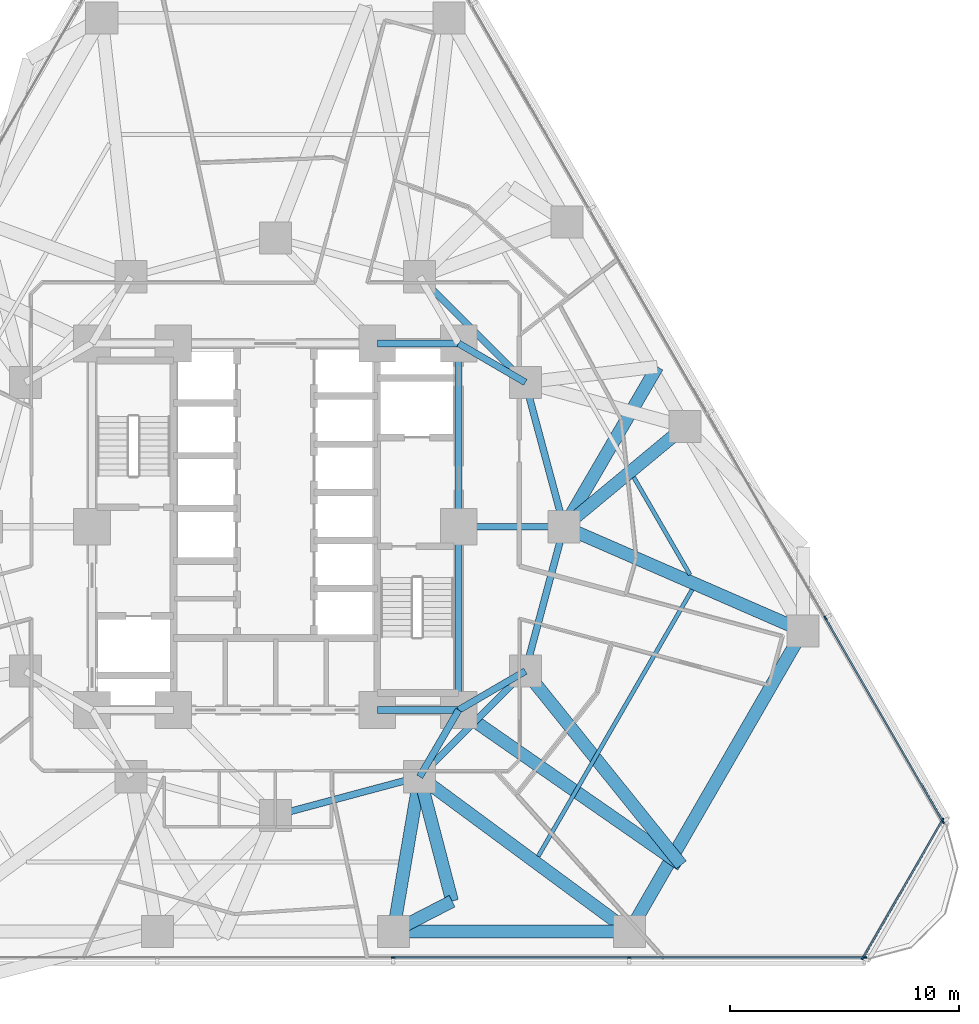
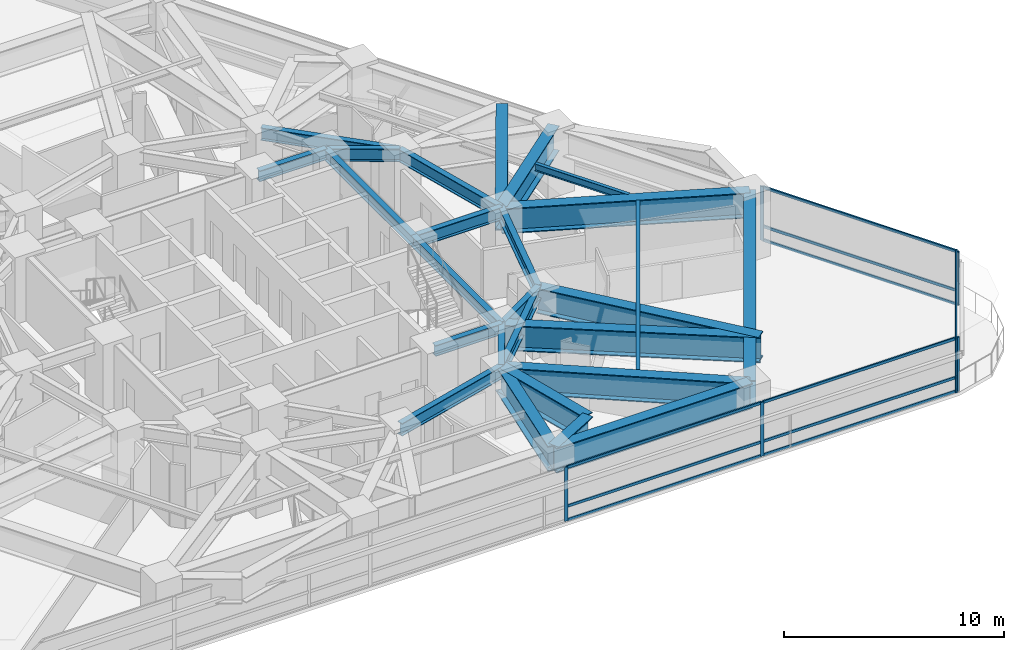
# One storey, part 4 of 15: 26 beams, 19 members, 3 elements without a shape of their own.
"""IFC4 building model written with IfcOpenShell, lengths in metres."""

from ifc_helpers import new_model, si_unit, direction, frame, origin, origin_2d, place, context, subcontext, project, spatial, rectangle, i_section, extrude, material, layer, layer_set, material_profile, profile_set, type_object, element, aggregate, save


model = new_model("IFC4")

# Units and contexts
model_context = context("Model", 3, precision=1e-05, world=origin(), true_north=direction((0.0, 1.0)))
body_context = subcontext(model_context, "Body", "Model", "MODEL_VIEW")
ifc_project = project(units=[si_unit("LENGTHUNIT", "METRE"), si_unit("AREAUNIT", "SQUARE_METRE"), si_unit("VOLUMEUNIT", "CUBIC_METRE"), si_unit("PLANEANGLEUNIT", "RADIAN"), si_unit("MASSUNIT", "GRAM", prefix="KILO")], contexts=[model_context])

# Site, building, storey
site_placement = place(None, origin())
site = spatial("IfcSite", under=ifc_project, at=site_placement, CompositionType="ELEMENT")
building_placement = place(site_placement, origin())
building = spatial("IfcBuilding", under=site, at=building_placement, Name="Terralouvre Media Tower", CompositionType="ELEMENT")
storey_placement = place(building_placement, frame((0.0, 0.0, 51.89990234375)))
storey = spatial("IfcBuildingStorey", under=building, at=storey_placement, Name="L12", CompositionType="ELEMENT", Elevation=51.89990234375)

# Beams
ifc_material_1 = material(Name="Structural steel S355J2", Category="steel")
ifc_material_profile_1 = material_profile(ifc_material_1, i_section(OverallWidth=0.179931640625, OverallDepth=0.39990234375, WebThickness=0.008544921875, FlangeThickness=0.013427734375, at=origin_2d()), Name="IPE 400")
ifc_profile_set_1 = profile_set([ifc_material_profile_1], Name="Structural steel S355J2")
beam_type_1 = type_object("IfcBeamType", Name="Composite Floor Joist J-IPE400 (IPE 400)", PredefinedType="JOIST", material=ifc_profile_set_1)
beam_1_placement = place(storey_placement, frame((11.472412109375, -14.384765625, 3.300048828125), z_axis=(0.500000713928, 0.866024991597, 0.0), x_axis=(-0.866024991597, 0.500000713928, 0.0)))
element("IfcBeam", 1, at=beam_1_placement, inside=storey, type_object=beam_type_1, Name="L12 Framing Beam JT-L12-05", PredefinedType="JOIST", context=body_context, shape_type="SweptSolid", body=[
    extrude(i_section(OverallWidth=0.179931640625, OverallDepth=0.39990234375, WebThickness=0.008544921875, FlangeThickness=0.013427734375, at=origin_2d()), origin(), (0.0, 0.0, 1.0), 13.44287109375),
])
beam_2_placement = place(storey_placement, frame((18.098876953125, -2.09423828125, 3.300048828125), z_axis=(-0.499991980929, 0.866030033548, 0.0), x_axis=(-0.866030033548, -0.499991980929, 0.0)))
element("IfcBeam", 2, at=beam_2_placement, inside=storey, type_object=beam_type_1, Name="L12 Framing Beam JT-L12-06", PredefinedType="JOIST", context=body_context, shape_type="SweptSolid", body=[
    extrude(i_section(OverallWidth=0.179931640625, OverallDepth=0.39990234375, WebThickness=0.008544921875, FlangeThickness=0.013427734375, at=origin_2d()), origin(), (0.0, 0.0, 1.0), 4.91357421875),
])

# Curtain wall, members
ifc_material_2 = material(Name="Low-iron laminated double glazing with solar-control coating", Category="glass")
ifc_layer_1 = layer(ifc_material_2, 0.1650390625, Name="Lower Media Tower Unitised Curtain Wall CW-02")
ifc_layer_set_1 = layer_set([ifc_layer_1], Name="Low-iron laminated double glazing with solar-control coating")
curtain_wall_type_1 = type_object("IfcCurtainWallType", Name="Lower Media Tower Unitised Curtain Wall CW-02", PredefinedType="NOTDEFINED", material=ifc_layer_set_1)
curtain_wall_1_placement = place(storey_placement, origin())
curtain_wall_1 = element("IfcCurtainWall", 3, at=curtain_wall_1_placement, inside=storey, type_object=curtain_wall_type_1, Name="L12 Facade Curtain Wall F0", PredefinedType="NOTDEFINED")
ifc_material_3 = material(Name="Anodised extruded aluminium 6063-T6", Category="aluminium")
ifc_material_profile_2 = material_profile(ifc_material_3, rectangle(XDim=0.074951171875, YDim=0.14990234375, at=origin_2d()), Name="ALU 75x150")
ifc_profile_set_2 = profile_set([ifc_material_profile_2], Name="Anodised extruded aluminium 6063-T6")
member_type_1 = type_object("IfcMemberType", Name="Curtain-Wall Horizontal Transom TR-150", PredefinedType="USERDEFINED", material=ifc_profile_set_2)
member_1_placement = place(storey_placement, frame((5.1875, -18.796875, 0.03759765625), z_axis=(1.0, 0.0, 0.0), x_axis=(0.0, 1.0, 0.0)))
member_1 = element("IfcMember", 4, at=member_1_placement, type_object=member_type_1, Name="CW-02 transom 4.1", ObjectType="TRANSOM", PredefinedType="USERDEFINED", context=body_context, shape_type="SweptSolid", body=[
    extrude(rectangle(XDim=0.074951171875, YDim=0.14990234375, at=origin_2d()), origin(), (0.0, 0.0, 1.0), 10.22509765625),
])
member_2_placement = place(storey_placement, frame((5.1875, -18.796875, 0.800048828125), z_axis=(1.0, 0.0, 0.0), x_axis=(0.0, 1.0, 0.0)))
member_2 = element("IfcMember", 5, at=member_2_placement, type_object=member_type_1, Name="CW-02 transom 4.2", ObjectType="TRANSOM", PredefinedType="USERDEFINED", context=body_context, shape_type="SweptSolid", body=[
    extrude(rectangle(XDim=0.074951171875, YDim=0.14990234375, at=origin_2d()), origin(), (0.0, 0.0, 1.0), 10.22509765625),
])
member_3_placement = place(storey_placement, frame((5.1875, -18.796875, 2.962646484375), z_axis=(1.0, 0.0, 0.0), x_axis=(0.0, 1.0, 0.0)))
member_3 = element("IfcMember", 6, at=member_3_placement, type_object=member_type_1, Name="CW-02 transom 4.3", ObjectType="TRANSOM", PredefinedType="USERDEFINED", context=body_context, shape_type="SweptSolid", body=[
    extrude(rectangle(XDim=0.074951171875, YDim=0.14990234375, at=origin_2d()), origin(), (0.0, 0.0, 1.0), 10.22509765625),
])
member_4_placement = place(storey_placement, frame((15.487548828125, -18.796875, 0.03759765625), z_axis=(1.0, 0.0, 0.0), x_axis=(0.0, 1.0, 0.0)))
member_4 = element("IfcMember", 7, at=member_4_placement, type_object=member_type_1, Name="CW-02 transom 5.1", ObjectType="TRANSOM", PredefinedType="USERDEFINED", context=body_context, shape_type="SweptSolid", body=[
    extrude(rectangle(XDim=0.074951171875, YDim=0.14990234375, at=origin_2d()), origin(), (0.0, 0.0, 1.0), 10.1875),
])
member_5_placement = place(storey_placement, frame((15.487548828125, -18.796875, 0.800048828125), z_axis=(1.0, 0.0, 0.0), x_axis=(0.0, 1.0, 0.0)))
member_5 = element("IfcMember", 8, at=member_5_placement, type_object=member_type_1, Name="CW-02 transom 5.2", ObjectType="TRANSOM", PredefinedType="USERDEFINED", context=body_context, shape_type="SweptSolid", body=[
    extrude(rectangle(XDim=0.074951171875, YDim=0.14990234375, at=origin_2d()), origin(), (0.0, 0.0, 1.0), 10.1875),
])
member_6_placement = place(storey_placement, frame((15.487548828125, -18.796875, 2.962646484375), z_axis=(1.0, 0.0, 0.0), x_axis=(0.0, 1.0, 0.0)))
member_6 = element("IfcMember", 9, at=member_6_placement, type_object=member_type_1, Name="CW-02 transom 5.3", ObjectType="TRANSOM", PredefinedType="USERDEFINED", context=body_context, shape_type="SweptSolid", body=[
    extrude(rectangle(XDim=0.074951171875, YDim=0.14990234375, at=origin_2d()), origin(), (0.0, 0.0, 1.0), 10.1875),
])

curtain_wall_2_placement = place(storey_placement, origin())
curtain_wall_2 = element("IfcCurtainWall", 10, at=curtain_wall_2_placement, inside=storey, type_object=curtain_wall_type_1, Name="L12 Facade Curtain Wall F1", PredefinedType="NOTDEFINED")
member_7_placement = place(storey_placement, frame((29.115966796875, -12.8369140625, 0.03759765625), z_axis=(-0.499994895054, 0.866028351106, 0.0), x_axis=(-0.866028351106, -0.499994895054, 0.0)))
member_7 = element("IfcMember", 11, at=member_7_placement, type_object=member_type_1, Name="CW-02 transom 1.1", ObjectType="TRANSOM", PredefinedType="USERDEFINED", context=body_context, shape_type="SweptSolid", body=[
    extrude(rectangle(XDim=0.074951171875, YDim=0.14990234375, at=origin_2d()), origin(), (0.0, 0.0, 1.0), 10.1875),
])
member_8_placement = place(storey_placement, frame((29.115966796875, -12.8369140625, 0.800048828125), z_axis=(-0.499994895054, 0.866028351106, 0.0), x_axis=(-0.866028351106, -0.499994895054, 0.0)))
member_8 = element("IfcMember", 12, at=member_8_placement, type_object=member_type_1, Name="CW-02 transom 1.2", ObjectType="TRANSOM", PredefinedType="USERDEFINED", context=body_context, shape_type="SweptSolid", body=[
    extrude(rectangle(XDim=0.074951171875, YDim=0.14990234375, at=origin_2d()), origin(), (0.0, 0.0, 1.0), 10.1875),
])
member_9_placement = place(storey_placement, frame((29.115966796875, -12.8369140625, 2.962646484375), z_axis=(-0.499994895054, 0.866028351106, 0.0), x_axis=(-0.866028351106, -0.499994895054, 0.0)))
member_9 = element("IfcMember", 13, at=member_9_placement, type_object=member_type_1, Name="CW-02 transom 1.3", ObjectType="TRANSOM", PredefinedType="USERDEFINED", context=body_context, shape_type="SweptSolid", body=[
    extrude(rectangle(XDim=0.074951171875, YDim=0.14990234375, at=origin_2d()), origin(), (0.0, 0.0, 1.0), 10.1875),
])

ifc_material_4 = material(Name="Low-iron laminated double glazing with solar-control coating", Category="glass")
ifc_layer_2 = layer(ifc_material_4, 0.1650390625, Name="Rounded Wind-Corner Curved Glazing CW-04")
ifc_layer_set_2 = layer_set([ifc_layer_2], Name="Low-iron laminated double glazing with solar-control coating")
curtain_wall_type_2 = type_object("IfcCurtainWallType", Name="Rounded Wind-Corner Curved Glazing CW-04", PredefinedType="NOTDEFINED", material=ifc_layer_set_2)
curtain_wall_3_placement = place(storey_placement, origin())
curtain_wall_3 = element("IfcCurtainWall", 14, at=curtain_wall_3_placement, inside=storey, type_object=curtain_wall_type_2, Name="L12 Rounded Wind-Corner Curtain Wall C1", PredefinedType="NOTDEFINED")
member_10_placement = place(storey_placement, frame((25.666259765625, -18.78173828125, 0.03759765625), z_axis=(0.499998495495, 0.866026272409, 0.0), x_axis=(-0.866026272409, 0.499998495495, 0.0)))
member_10 = element("IfcMember", 15, at=member_10_placement, type_object=member_type_1, Name="CW-04 transom 1.1", ObjectType="TRANSOM", PredefinedType="USERDEFINED", context=body_context, shape_type="SweptSolid", body=[
    extrude(rectangle(XDim=0.074951171875, YDim=0.14990234375, at=origin_2d()), origin(), (0.0, 0.0, 1.0), 6.86474609375),
])
member_11_placement = place(storey_placement, frame((25.666259765625, -18.78173828125, 0.800048828125), z_axis=(0.499998495495, 0.866026272409, 0.0), x_axis=(-0.866026272409, 0.499998495495, 0.0)))
member_11 = element("IfcMember", 16, at=member_11_placement, type_object=member_type_1, Name="CW-04 transom 1.2", ObjectType="TRANSOM", PredefinedType="USERDEFINED", context=body_context, shape_type="SweptSolid", body=[
    extrude(rectangle(XDim=0.074951171875, YDim=0.14990234375, at=origin_2d()), origin(), (0.0, 0.0, 1.0), 6.86474609375),
])
member_12_placement = place(storey_placement, frame((25.666259765625, -18.78173828125, 2.962646484375), z_axis=(0.499998495495, 0.866026272409, 0.0), x_axis=(-0.866026272409, 0.499998495495, 0.0)))
member_12 = element("IfcMember", 17, at=member_12_placement, type_object=member_type_1, Name="CW-04 transom 1.3", ObjectType="TRANSOM", PredefinedType="USERDEFINED", context=body_context, shape_type="SweptSolid", body=[
    extrude(rectangle(XDim=0.074951171875, YDim=0.14990234375, at=origin_2d()), origin(), (0.0, 0.0, 1.0), 6.86474609375),
])

# Member
ifc_material_5 = material(Name="Anodised extruded aluminium 6063-T6", Category="aluminium")
ifc_material_profile_3 = material_profile(ifc_material_5, rectangle(XDim=0.074951171875, YDim=0.179931640625, at=origin_2d()), Name="ALU 75x180")
ifc_profile_set_3 = profile_set([ifc_material_profile_3], Name="Anodised extruded aluminium 6063-T6")
member_type_2 = type_object("IfcMemberType", Name="Curtain-Wall Vertical Mullion ML-180", PredefinedType="MULLION", material=ifc_profile_set_3)
member_13_placement = place(storey_placement, frame((5.14990234375, -18.796875, 0.0), z_axis=(0.0, 0.0, 1.0), x_axis=(0.0, 1.0, 0.0)))
member_13 = element("IfcMember", 18, at=member_13_placement, type_object=member_type_2, Name="CW-02 mullion 4", PredefinedType="MULLION", context=body_context, shape_type="SweptSolid", body=[
    extrude(rectangle(XDim=0.074951171875, YDim=0.179931640625, at=origin_2d()), origin(), (0.0, 0.0, 1.0), 3.0),
])

member_14_placement = place(storey_placement, frame((15.449951171875, -18.796875, 0.0), z_axis=(0.0, 0.0, 1.0), x_axis=(0.0, 1.0, 0.0)))
member_14 = element("IfcMember", 19, at=member_14_placement, type_object=member_type_2, Name="CW-02 mullion 5", PredefinedType="MULLION", context=body_context, shape_type="SweptSolid", body=[
    extrude(rectangle(XDim=0.074951171875, YDim=0.179931640625, at=origin_2d()), origin(), (0.0, 0.0, 1.0), 3.0),
])

member_15_placement = place(storey_placement, frame((25.71240234375, -18.796875, 0.0), z_axis=(0.0, 0.0, 1.0), x_axis=(0.0, 1.0, 0.0)))
member_15 = element("IfcMember", 20, at=member_15_placement, type_object=member_type_2, Name="CW-02 mullion 6", PredefinedType="MULLION", context=body_context, shape_type="SweptSolid", body=[
    extrude(rectangle(XDim=0.074951171875, YDim=0.179931640625, at=origin_2d()), origin(), (0.0, 0.0, 1.0), 3.0),
])

aggregate(curtain_wall_1, [member_13, member_14, member_15, member_1, member_2, member_3, member_4, member_5, member_6])

member_16_placement = place(storey_placement, frame((29.134765625, -12.869384765625, 0.0), z_axis=(0.0, 0.0, 1.0), x_axis=(-0.866025412057, -0.499999985671, 0.0)))
member_16 = element("IfcMember", 21, at=member_16_placement, type_object=member_type_2, Name="CW-02 mullion 1", PredefinedType="MULLION", context=body_context, shape_type="SweptSolid", body=[
    extrude(rectangle(XDim=0.074951171875, YDim=0.179931640625, at=origin_2d()), origin(), (0.0, 0.0, 1.0), 3.0),
])

member_17_placement = place(storey_placement, frame((24.00341796875, -3.981689453125, 0.0), z_axis=(0.0, 0.0, 1.0), x_axis=(-0.866025412057, -0.499999985671, 0.0)))
member_17 = element("IfcMember", 22, at=member_17_placement, type_object=member_type_2, Name="CW-02 mullion 2", PredefinedType="MULLION", context=body_context, shape_type="SweptSolid", body=[
    extrude(rectangle(XDim=0.074951171875, YDim=0.179931640625, at=origin_2d()), origin(), (0.0, 0.0, 1.0), 3.0),
])

aggregate(curtain_wall_2, [member_16, member_17, member_7, member_8, member_9])

member_18_placement = place(storey_placement, frame((25.6474609375, -18.814208984375, 0.0), z_axis=(0.0, 0.0, 1.0), x_axis=(-0.866025581895, 0.499999691503, 0.0)))
member_18 = element("IfcMember", 23, at=member_18_placement, type_object=member_type_2, Name="CW-04 mullion 1", PredefinedType="MULLION", context=body_context, shape_type="SweptSolid", body=[
    extrude(rectangle(XDim=0.074951171875, YDim=0.179931640625, at=origin_2d()), origin(), (0.0, 0.0, 1.0), 3.0),
])

member_19_placement = place(storey_placement, frame((29.117431640625, -12.80419921875, 0.0), z_axis=(0.0, 0.0, 1.0), x_axis=(-0.866025581895, 0.499999691503, 0.0)))
member_19 = element("IfcMember", 24, at=member_19_placement, type_object=member_type_2, Name="CW-04 mullion 2", PredefinedType="MULLION", context=body_context, shape_type="SweptSolid", body=[
    extrude(rectangle(XDim=0.074951171875, YDim=0.179931640625, at=origin_2d()), origin(), (0.0, 0.0, 1.0), 3.0),
])

aggregate(curtain_wall_3, [member_18, member_19, member_10, member_11, member_12])

# Beams
ifc_material_6 = material(Name="Structural steel S460M", Category="steel")
ifc_material_profile_4 = material_profile(ifc_material_6, i_section(OverallWidth=0.300048828125, OverallDepth=0.60009765625, WebThickness=0.015380859375, FlangeThickness=0.030029296875, at=origin_2d()), Name="HEB 600")
ifc_profile_set_4 = profile_set([ifc_material_profile_4], Name="Structural steel S460M")
beam_type_2 = type_object("IfcBeamType", Name="Primary Floor Girder B-HEB600 (HEB 600)", PredefinedType="BEAM", material=ifc_profile_set_4)
beam_3_placement = place(storey_placement, frame((4.449951171875, -8.0, 3.2001953125), z_axis=(1.0, 0.0, 0.0), x_axis=(0.0, 1.0, 0.0)))
element("IfcBeam", 25, at=beam_3_placement, inside=storey, type_object=beam_type_2, Name="L12 Framing Beam BM-L12-CPR03", PredefinedType="BEAM", context=body_context, shape_type="SweptSolid", body=[
    extrude(i_section(OverallWidth=0.300048828125, OverallDepth=0.60009765625, WebThickness=0.015380859375, FlangeThickness=0.030029296875, at=origin_2d()), origin(), (0.0, 0.0, 1.0), 3.550048828125),
])
for number, where, z_axis, x_axis, name in (
    (26, (8.0, -8.0, 3.2001953125), (0.0, 1.0, 0.0), (-1.0, 0.0, 0.0), "L12 Framing Beam BM-L12-CPR04"),
    (27, (8.0, 0.0, 3.2001953125), (0.0, 1.0, 0.0), (-1.0, 0.0, 0.0), "L12 Framing Beam BM-L12-CPR05"),
):
    element("IfcBeam", number, at=place(storey_placement, frame(where, z_axis=z_axis, x_axis=x_axis)), inside=storey, type_object=beam_type_2, Name=name, PredefinedType="BEAM", context=body_context, shape_type="SweptSolid", body=[
        extrude(i_section(OverallWidth=0.300048828125, OverallDepth=0.60009765625, WebThickness=0.015380859375, FlangeThickness=0.030029296875, at=origin_2d()), origin(), (0.0, 0.0, 1.0), 8.0),
    ])
beam_4_placement = place(storey_placement, frame((8.0, 8.0, 3.2001953125), z_axis=(-1.0, 0.0, 0.0), x_axis=(0.0, -1.0, 0.0)))
element("IfcBeam", 28, at=beam_4_placement, inside=storey, type_object=beam_type_2, Name="L12 Framing Beam BM-L12-CPR06", PredefinedType="BEAM", context=body_context, shape_type="SweptSolid", body=[
    extrude(i_section(OverallWidth=0.300048828125, OverallDepth=0.60009765625, WebThickness=0.015380859375, FlangeThickness=0.030029296875, at=origin_2d()), origin(), (0.0, 0.0, 1.0), 3.550048828125),
])
ifc_material_7 = material(Name="Structural steel S460M", Category="steel")
ifc_material_profile_5 = material_profile(ifc_material_7, i_section(OverallWidth=0.300048828125, OverallDepth=0.699951171875, WebThickness=0.01708984375, FlangeThickness=0.031982421875, at=origin_2d()), Name="HEB 700")
ifc_profile_set_5 = profile_set([ifc_material_profile_5], Name="Structural steel S460M")
beam_type_3 = type_object("IfcBeamType", Name="Primary Floor Girder B-HEB700 (HEB 700)", PredefinedType="BEAM", material=ifc_profile_set_5)
beam_5_placement = place(storey_placement, frame((0.0, -12.60009765625, 3.150146484375), z_axis=(0.965920481897, 0.258838989821, 0.0), x_axis=(-0.258838989821, 0.965920481897, 0.0)))
element("IfcBeam", 29, at=beam_5_placement, inside=storey, type_object=beam_type_3, Name="L12 Framing Beam BM-L12-MR03", PredefinedType="BEAM", context=body_context, shape_type="SweptSolid", body=[
    extrude(i_section(OverallWidth=0.300048828125, OverallDepth=0.699951171875, WebThickness=0.01708984375, FlangeThickness=0.031982421875, at=origin_2d()), origin(), (0.0, 0.0, 1.0), 6.522216796875),
])
beam_6_placement = place(storey_placement, frame((6.300048828125, -10.911865234375, 3.150146484375), z_axis=(0.707106781187, 0.707106781187, 0.0), x_axis=(-0.707106781187, 0.707106781187, 0.0)))
element("IfcBeam", 30, at=beam_6_placement, inside=storey, type_object=beam_type_3, Name="L12 Framing Beam BM-L12-MR04", PredefinedType="BEAM", context=body_context, shape_type="SweptSolid", body=[
    extrude(i_section(OverallWidth=0.300048828125, OverallDepth=0.699951171875, WebThickness=0.01708984375, FlangeThickness=0.031982421875, at=origin_2d()), origin(), (0.0, 0.0, 1.0), 6.52197265625),
])
for number, where, z_axis, x_axis, name in (
    (31, (10.911865234375, -6.300048828125, 3.150146484375), (0.258838989821, 0.965920481897, 0.0), (-0.965920481897, 0.258838989821, 0.0), "L12 Framing Beam BM-L12-MR05"),
    (32, (12.60009765625, 0.0, 3.150146484375), (-0.258838989821, 0.965920481897, 0.0), (-0.965920481897, -0.258838989821, 0.0), "L12 Framing Beam BM-L12-MR06"),
):
    element("IfcBeam", number, at=place(storey_placement, frame(where, z_axis=z_axis, x_axis=x_axis)), inside=storey, type_object=beam_type_3, Name=name, PredefinedType="BEAM", context=body_context, shape_type="SweptSolid", body=[
        extrude(i_section(OverallWidth=0.300048828125, OverallDepth=0.699951171875, WebThickness=0.01708984375, FlangeThickness=0.031982421875, at=origin_2d()), origin(), (0.0, 0.0, 1.0), 6.522216796875),
    ])
beam_7_placement = place(storey_placement, frame((10.911865234375, 6.300048828125, 3.150146484375), z_axis=(-0.707106781187, 0.707106781187, 0.0), x_axis=(-0.707106781187, -0.707106781187, 0.0)))
element("IfcBeam", 33, at=beam_7_placement, inside=storey, type_object=beam_type_3, Name="L12 Framing Beam BM-L12-MR07", PredefinedType="BEAM", context=body_context, shape_type="SweptSolid", body=[
    extrude(i_section(OverallWidth=0.300048828125, OverallDepth=0.699951171875, WebThickness=0.01708984375, FlangeThickness=0.031982421875, at=origin_2d()), origin(), (0.0, 0.0, 1.0), 6.52197265625),
])
for number, where, z_axis, x_axis, name in (
    (34, (8.0, -8.0, 3.150146484375), (-0.504172629717, -0.863602894532, 0.0), (0.863602894532, -0.504172629717, 0.0), "L12 Framing Beam BM-L12-CM04"),
    (35, (8.0, -8.0, 3.150146484375), (0.863602894532, 0.504172629717, 0.0), (-0.504172629717, 0.863602894532, 0.0), "L12 Framing Beam BM-L12-CM05"),
):
    element("IfcBeam", number, at=place(storey_placement, frame(where, z_axis=z_axis, x_axis=x_axis)), inside=storey, type_object=beam_type_3, Name=name, PredefinedType="BEAM", context=body_context, shape_type="SweptSolid", body=[
        extrude(i_section(OverallWidth=0.300048828125, OverallDepth=0.699951171875, WebThickness=0.01708984375, FlangeThickness=0.031982421875, at=origin_2d()), origin(), (0.0, 0.0, 1.0), 3.371826171875),
    ])
beam_8_placement = place(storey_placement, frame((8.0, 0.0, 3.150146484375), z_axis=(1.0, 0.0, 0.0), x_axis=(0.0, 1.0, 0.0)))
element("IfcBeam", 36, at=beam_8_placement, inside=storey, type_object=beam_type_3, Name="L12 Framing Beam BM-L12-CM06", PredefinedType="BEAM", context=body_context, shape_type="SweptSolid", body=[
    extrude(i_section(OverallWidth=0.300048828125, OverallDepth=0.699951171875, WebThickness=0.01708984375, FlangeThickness=0.031982421875, at=origin_2d()), origin(), (0.0, 0.0, 1.0), 4.60009765625),
])
beam_9_placement = place(storey_placement, frame((8.0, 8.0, 3.150146484375), z_axis=(0.863602894532, -0.504172629717, 0.0), x_axis=(0.504172629717, 0.863602894532, 0.0)))
element("IfcBeam", 37, at=beam_9_placement, inside=storey, type_object=beam_type_3, Name="L12 Framing Beam BM-L12-CM07", PredefinedType="BEAM", context=body_context, shape_type="SweptSolid", body=[
    extrude(i_section(OverallWidth=0.300048828125, OverallDepth=0.699951171875, WebThickness=0.01708984375, FlangeThickness=0.031982421875, at=origin_2d()), origin(), (0.0, 0.0, 1.0), 3.371826171875),
])
ifc_material_8 = material(Name="Structural steel S460M", Category="steel")
ifc_material_profile_6 = material_profile(ifc_material_8, i_section(OverallWidth=0.56005859375, OverallDepth=1.39990234375, WebThickness=0.031982421875, FlangeThickness=0.050048828125, at=origin_2d()), Name="TG 1400x560")
ifc_profile_set_6 = profile_set([ifc_material_profile_6], Name="Structural steel S460M")
beam_type_4 = type_object("IfcBeamType", Name="Welded Transfer Girder TG-1400 (TG 1400x560)", PredefinedType="USERDEFINED", material=ifc_profile_set_6)
beam_10_placement = place(storey_placement, frame((5.14990234375, -17.666748046875, 2.800048828125), z_axis=(1.0, 0.0, 0.0), x_axis=(0.0, 1.0, 0.0)))
element("IfcBeam", 38, at=beam_10_placement, inside=storey, type_object=beam_type_4, Name="L12 Framing Beam BM-L12-PR04", ObjectType="TRANSFER GIRDER", PredefinedType="USERDEFINED", context=body_context, shape_type="SweptSolid", body=[
    extrude(i_section(OverallWidth=0.56005859375, OverallDepth=1.39990234375, WebThickness=0.031982421875, FlangeThickness=0.050048828125, at=origin_2d()), origin(), (0.0, 0.0, 1.0), 10.300048828125),
])
beam_11_placement = place(storey_placement, frame((15.449951171875, -17.666748046875, 2.800048828125), z_axis=(0.500002375365, 0.866024032363, 0.0), x_axis=(-0.866024032363, 0.500002375365, 0.0)))
element("IfcBeam", 39, at=beam_11_placement, inside=storey, type_object=beam_type_4, Name="L12 Framing Beam BM-L12-PR05", ObjectType="TRANSFER GIRDER", PredefinedType="USERDEFINED", context=body_context, shape_type="SweptSolid", body=[
    extrude(i_section(OverallWidth=0.56005859375, OverallDepth=1.39990234375, WebThickness=0.031982421875, FlangeThickness=0.050048828125, at=origin_2d()), origin(), (0.0, 0.0, 1.0), 15.14990234375),
])
beam_12_placement = place(storey_placement, frame((6.300048828125, -10.911865234375, 2.800048828125), z_axis=(-0.167853129882, -0.98581201392, 0.0), x_axis=(0.98581201392, -0.167853129882, 0.0)))
element("IfcBeam", 40, at=beam_12_placement, inside=storey, type_object=beam_type_4, Name="L12 Framing Beam BM-L12-RD04", ObjectType="TRANSFER GIRDER", PredefinedType="USERDEFINED", context=body_context, shape_type="SweptSolid", body=[
    extrude(i_section(OverallWidth=0.56005859375, OverallDepth=1.39990234375, WebThickness=0.031982421875, FlangeThickness=0.050048828125, at=origin_2d()), origin(), (0.0, 0.0, 1.0), 6.85205078125),
])
beam_13_placement = place(storey_placement, frame((6.300048828125, -10.911865234375, 2.800048828125), z_axis=(0.804515955091, -0.593931038088, 0.0), x_axis=(0.593931038088, 0.804515955091, 0.0)))
element("IfcBeam", 41, at=beam_13_placement, inside=storey, type_object=beam_type_4, Name="L12 Framing Beam BM-L12-RD05", ObjectType="TRANSFER GIRDER", PredefinedType="USERDEFINED", context=body_context, shape_type="SweptSolid", body=[
    extrude(i_section(OverallWidth=0.56005859375, OverallDepth=1.39990234375, WebThickness=0.031982421875, FlangeThickness=0.050048828125, at=origin_2d()), origin(), (0.0, 0.0, 1.0), 11.373291015625),
])
beam_14_placement = place(storey_placement, frame((12.60009765625, 0.0, 2.800048828125), z_axis=(0.916615903868, -0.399769039291, 0.0), x_axis=(0.399769039291, 0.916615903868, 0.0)))
element("IfcBeam", 42, at=beam_14_placement, inside=storey, type_object=beam_type_4, Name="L12 Framing Beam BM-L12-RD06", ObjectType="TRANSFER GIRDER", PredefinedType="USERDEFINED", context=body_context, shape_type="SweptSolid", body=[
    extrude(i_section(OverallWidth=0.56005859375, OverallDepth=1.39990234375, WebThickness=0.031982421875, FlangeThickness=0.050048828125, at=origin_2d()), origin(), (0.0, 0.0, 1.0), 11.373046875),
])
beam_15_placement = place(storey_placement, frame((12.60009765625, 0.0, 2.800048828125), z_axis=(0.769816459478, 0.638265320001, 0.0), x_axis=(-0.638265320001, 0.769816459478, 0.0)))
element("IfcBeam", 43, at=beam_15_placement, inside=storey, type_object=beam_type_4, Name="L12 Framing Beam BM-L12-RD07", ObjectType="TRANSFER GIRDER", PredefinedType="USERDEFINED", context=body_context, shape_type="SweptSolid", body=[
    extrude(i_section(OverallWidth=0.56005859375, OverallDepth=1.39990234375, WebThickness=0.031982421875, FlangeThickness=0.050048828125, at=origin_2d()), origin(), (0.0, 0.0, 1.0), 6.851806640625),
])
beam_16_placement = place(storey_placement, frame((7.715576171875, -16.3427734375, 2.800048828125), z_axis=(-0.88865511833, -0.458576144895, 0.0), x_axis=(0.458576144895, -0.88865511833, 0.0)))
element("IfcBeam", 44, at=beam_16_placement, inside=storey, type_object=beam_type_4, Name="L12 Framing Beam BM-L12-TR03S1", ObjectType="TRANSFER GIRDER", PredefinedType="USERDEFINED", context=body_context, shape_type="SweptSolid", body=[
    extrude(i_section(OverallWidth=0.56005859375, OverallDepth=1.39990234375, WebThickness=0.031982421875, FlangeThickness=0.050048828125, at=origin_2d()), origin(), (0.0, 0.0, 1.0), 2.88720703125),
])
beam_17_placement = place(storey_placement, frame((7.715576171875, -16.3427734375, 2.800048828125), z_axis=(-0.252216476238, 0.967670837172, 0.0), x_axis=(-0.967670837172, -0.252216476238, 0.0)))
element("IfcBeam", 45, at=beam_17_placement, inside=storey, type_object=beam_type_4, Name="L12 Framing Beam BM-L12-TR03S2", ObjectType="TRANSFER GIRDER", PredefinedType="USERDEFINED", context=body_context, shape_type="SweptSolid", body=[
    extrude(i_section(OverallWidth=0.56005859375, OverallDepth=1.39990234375, WebThickness=0.031982421875, FlangeThickness=0.050048828125, at=origin_2d()), origin(), (0.0, 0.0, 1.0), 5.6123046875),
])
beam_18_placement = place(storey_placement, frame((17.71875, -14.75830078125, 2.800048828125), z_axis=(-0.626954818356, 0.779055617874, 0.0), x_axis=(-0.779055617874, -0.626954818356, 0.0)))
element("IfcBeam", 46, at=beam_18_placement, inside=storey, type_object=beam_type_4, Name="L12 Framing Beam BM-L12-TR04S1", ObjectType="TRANSFER GIRDER", PredefinedType="USERDEFINED", context=body_context, shape_type="SweptSolid", body=[
    extrude(i_section(OverallWidth=0.56005859375, OverallDepth=1.39990234375, WebThickness=0.031982421875, FlangeThickness=0.050048828125, at=origin_2d()), origin(), (0.0, 0.0, 1.0), 10.857177734375),
])
beam_19_placement = place(storey_placement, frame((17.71875, -14.75830078125, 2.800048828125), z_axis=(-0.821006917145, 0.570918244584, 0.0), x_axis=(-0.570918244584, -0.821006917145, 0.0)))
element("IfcBeam", 47, at=beam_19_placement, inside=storey, type_object=beam_type_4, Name="L12 Framing Beam BM-L12-TR04S2", ObjectType="TRANSFER GIRDER", PredefinedType="USERDEFINED", context=body_context, shape_type="SweptSolid", body=[
    extrude(i_section(OverallWidth=0.56005859375, OverallDepth=1.39990234375, WebThickness=0.031982421875, FlangeThickness=0.050048828125, at=origin_2d()), origin(), (0.0, 0.0, 1.0), 11.837646484375),
])
beam_20_placement = place(storey_placement, frame((16.669189453125, 6.982421875, 2.800048828125), z_axis=(-0.503502830027, -0.863993576455, 0.0), x_axis=(0.863993576455, -0.503502830027, 0.0)))
element("IfcBeam", 48, at=beam_20_placement, inside=storey, type_object=beam_type_4, Name="L12 Framing Beam BM-L12-TR06S2", ObjectType="TRANSFER GIRDER", PredefinedType="USERDEFINED", context=body_context, shape_type="SweptSolid", body=[
    extrude(i_section(OverallWidth=0.56005859375, OverallDepth=1.39990234375, WebThickness=0.031982421875, FlangeThickness=0.050048828125, at=origin_2d()), origin(), (0.0, 0.0, 1.0), 8.08154296875),
])

save(model, "model.ifc")
